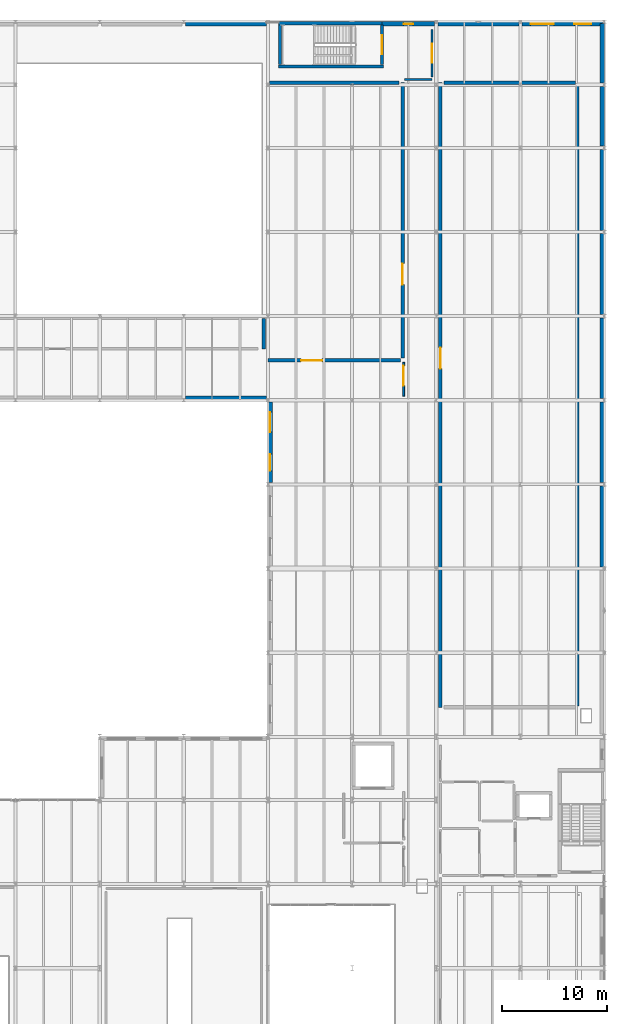
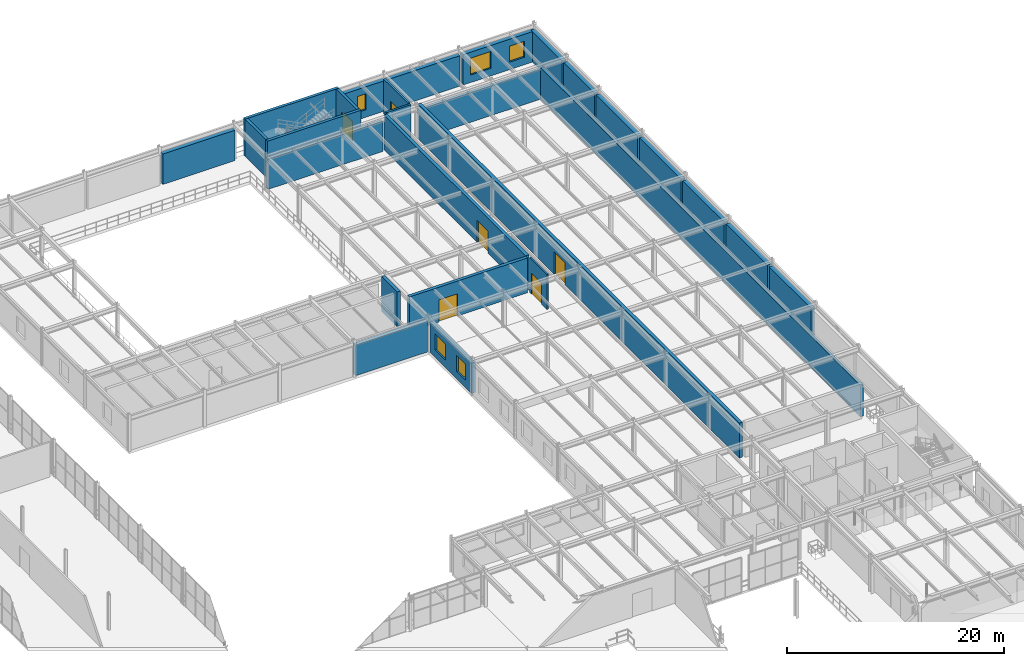
# One storey, part 91 of 122: 27 walls, 6 doors, 5 windows, 11 openings.
"""IFC4 building model written with IfcOpenShell, lengths in metres."""

from ifc_helpers import new_model, si_unit, direction, frame, frame_2d, origin, place, context, subcontext, project, spatial, rectangle, extrude, material, layer, layer_set, type_object, element, fill, save


model = new_model("IFC4")

# Units and contexts
model_context = context("Model", 3, precision=1e-05, world=origin(), true_north=direction((0.0, 1.0)))
body_context = subcontext(model_context, "Body", "Model", "MODEL_VIEW")
ifc_project = project(units=[si_unit("LENGTHUNIT", "METRE"), si_unit("AREAUNIT", "SQUARE_METRE"), si_unit("VOLUMEUNIT", "CUBIC_METRE"), si_unit("PLANEANGLEUNIT", "RADIAN"), si_unit("MASSUNIT", "GRAM", prefix="KILO")], contexts=[model_context])

# Site, building, storey
site_placement = place(None, origin())
site = spatial("IfcSite", under=ifc_project, at=site_placement, CompositionType="ELEMENT")
building_placement = place(site_placement, origin())
building = spatial("IfcBuilding", under=site, at=building_placement, Name="Sundkrona Museum", CompositionType="ELEMENT")
storey_placement = place(building_placement, frame((0.0, 0.0, 5.39990234375)))
storey = spatial("IfcBuildingStorey", under=building, at=storey_placement, Name="L01", CompositionType="ELEMENT", Elevation=5.39990234375)

# Wall, opening, door
ifc_material_1 = material(Name="Concrete C40/50", Category="concrete")
ifc_layer_1 = layer(ifc_material_1, 0.330078125)
ifc_layer_set_1 = layer_set([ifc_layer_1], Name="Concrete C40/50")
wall_type_1 = type_object("IfcWallType", Name="W-ARC-120", PredefinedType="SOLIDWALL", material=ifc_layer_set_1)
wall_1_placement = place(storey_placement, frame((148.800048828125, 82.0, 0.0), z_axis=(0.0, 0.0, 1.0), x_axis=(0.0, 1.0, 0.0)))
wall_1 = element("IfcWall", 1, at=wall_1_placement, inside=storey, type_object=wall_type_1, Name="L01 Partition East Hall Spine / Entomology Collection Archive", PredefinedType="SOLIDWALL", context=body_context, shape_type="SweptSolid", body=[
    extrude(rectangle(XDim=26.199951171875, YDim=0.330078125, at=frame_2d((13.10009765625, 0.0))), origin(), (0.0, 0.0, 1.0), 3.940185546875),
])
opening_1_placement = place(wall_1_placement, frame((6.992431640625, 0.0, 0.0)))
opening_1 = element("IfcOpeningElement", 2, at=opening_1_placement, cuts=wall_1, Name="Opening D-ARC-120", PredefinedType="OPENING", context=body_context, shape_type="SweptSolid", body=[
    extrude(rectangle(XDim=2.0, YDim=2.5, at=frame_2d((1.0, 1.25))), frame((0.0, 0.175048828125, 0.0), z_axis=(0.0, -1.0, 0.0), x_axis=(1.0, 0.0, 0.0)), (0.0, 0.0, 1.0), 0.35009765625),
])
ifc_material_2 = material(Name="Insulated Steel Vault Door", Category="steel")
door_type_1 = type_object("IfcDoorType", Name="D-ARC-120", OperationType="DOUBLE_DOOR_SINGLE_SWING", PredefinedType="DOOR", material=ifc_material_2)
door_1_placement = place(opening_1_placement, origin())
door_1 = element("IfcDoor", 3, at=door_1_placement, inside=storey, type_object=door_type_1, Name="L01 Interior Door DR-ADJ-L01-0093", OperationType="DOUBLE_DOOR_SINGLE_SWING", OverallHeight=2.5, OverallWidth=2.0, PredefinedType="DOOR", context=body_context, shape_type="SweptSolid", body=[
    extrude(rectangle(XDim=2.0, YDim=2.5, at=frame_2d((1.0, 1.25))), frame((0.0, 0.02490234375, 0.0), z_axis=(0.0, -1.0, 0.0), x_axis=(1.0, 0.0, 0.0)), (0.0, 0.0, 1.0), 0.050048828125),
])
fill(opening_1, door_1)

wall_2_placement = place(storey_placement, frame((152.39990234375, 48.800048828125, 0.0), z_axis=(0.0, 0.0, 1.0), x_axis=(0.0, 1.0, 0.0)))
wall_2 = element("IfcWall", 4, at=wall_2_placement, inside=storey, type_object=wall_type_1, Name="L01 Partition East Hall Spine / Rare Book Collection Storage", PredefinedType="SOLIDWALL", context=body_context, shape_type="SweptSolid", body=[
    extrude(rectangle(XDim=59.39990234375, YDim=0.330078125, at=frame_2d((29.699951171875, 0.0))), origin(), (0.0, 0.0, 1.0), 3.940185546875),
])
opening_2_placement = place(wall_2_placement, frame((32.206298828125, 0.0, 0.0)))
opening_2 = element("IfcOpeningElement", 5, at=opening_2_placement, cuts=wall_2, Name="Opening D-ARC-120", PredefinedType="OPENING", context=body_context, shape_type="SweptSolid", body=[
    extrude(rectangle(XDim=2.0, YDim=2.5, at=frame_2d((1.0, 1.25))), frame((0.0, 0.175048828125, 0.0), z_axis=(0.0, -1.0, 0.0), x_axis=(1.0, 0.0, 0.0)), (0.0, 0.0, 1.0), 0.35009765625),
])
door_2_placement = place(opening_2_placement, origin())
door_2 = element("IfcDoor", 6, at=door_2_placement, inside=storey, type_object=door_type_1, Name="L01 Interior Door DR-ADJ-L01-0094", OperationType="DOUBLE_DOOR_SINGLE_SWING", OverallHeight=2.5, OverallWidth=2.0, PredefinedType="DOOR", context=body_context, shape_type="SweptSolid", body=[
    extrude(rectangle(XDim=2.0, YDim=2.5, at=frame_2d((1.0, 1.25))), frame((0.0, 0.02490234375, 0.0), z_axis=(0.0, -1.0, 0.0), x_axis=(1.0, 0.0, 0.0)), (0.0, 0.0, 1.0), 0.050048828125),
])
fill(opening_2, door_2)

wall_3_placement = place(storey_placement, frame((136.0, 81.800048828125, 0.0), z_axis=(0.0, 0.0, 1.0), x_axis=(1.0, 0.0, 0.0)))
wall_3 = element("IfcWall", 7, at=wall_3_placement, inside=storey, type_object=wall_type_1, Name="L01 Partition Volume 5 Level 01 Spine / Entomology Collection Archive", PredefinedType="SOLIDWALL", context=body_context, shape_type="SweptSolid", body=[
    extrude(rectangle(XDim=12.60009765625, YDim=0.330078125, at=frame_2d((6.300048828125, 0.0))), origin(), (0.0, 0.0, 1.0), 3.940185546875),
])
opening_3_placement = place(wall_3_placement, frame((3.156982421875, 0.0, 0.0)))
opening_3 = element("IfcOpeningElement", 8, at=opening_3_placement, cuts=wall_3, Name="Opening D-ARC-120", PredefinedType="OPENING", context=body_context, shape_type="SweptSolid", body=[
    extrude(rectangle(XDim=2.0, YDim=2.5, at=frame_2d((1.0, 1.25))), frame((0.0, 0.175048828125, 0.0), z_axis=(0.0, -1.0, 0.0), x_axis=(1.0, 0.0, 0.0)), (0.0, 0.0, 1.0), 0.35009765625),
])
door_3_placement = place(opening_3_placement, origin())
door_3 = element("IfcDoor", 9, at=door_3_placement, inside=storey, type_object=door_type_1, Name="L01 Interior Door DR-ADJ-L01-0104", OperationType="DOUBLE_DOOR_SINGLE_SWING", OverallHeight=2.5, OverallWidth=2.0, PredefinedType="DOOR", context=body_context, shape_type="SweptSolid", body=[
    extrude(rectangle(XDim=2.0, YDim=2.5, at=frame_2d((1.0, 1.25))), frame((0.0, 0.02490234375, 0.0), z_axis=(0.0, -1.0, 0.0), x_axis=(1.0, 0.0, 0.0)), (0.0, 0.0, 1.0), 0.050048828125),
])
fill(opening_3, door_3)

# Walls
wall_4_placement = place(storey_placement, frame((135.60009765625, 82.89990234375, 0.0), z_axis=(0.0, 0.0, 1.0), x_axis=(0.0, 1.0, 0.0)))
element("IfcWall", 10, at=wall_4_placement, inside=storey, type_object=wall_type_1, Name="L01 Partition Entomology Collection Archive / Auditorium Projection Foyer", PredefinedType="SOLIDWALL", context=body_context, shape_type="SweptSolid", body=[
    extrude(rectangle(XDim=2.900146484375, YDim=0.330078125, at=frame_2d((1.4501953125, 0.0))), origin(), (0.0, 0.0, 1.0), 3.940185546875),
])
wall_5_placement = place(storey_placement, frame((136.14990234375, 108.199951171875, 0.0), z_axis=(0.0, 0.0, 1.0), x_axis=(1.0, 0.0, 0.0)))
element("IfcWall", 11, at=wall_5_placement, inside=storey, type_object=wall_type_1, Name="L01 Entomology Collection Archive Enclosure Wall N", PredefinedType="SOLIDWALL", context=body_context, shape_type="SweptSolid", body=[
    extrude(rectangle(XDim=12.300048828125, YDim=0.330078125, at=frame_2d((6.14990234375, 0.0))), origin(), (0.0, 0.0, 1.0), 3.400146484375),
])
wall_6_placement = place(storey_placement, frame((152.75, 108.199951171875, 0.0), z_axis=(0.0, 0.0, 1.0), x_axis=(1.0, 0.0, 0.0)))
element("IfcWall", 12, at=wall_6_placement, inside=storey, type_object=wall_type_1, Name="L01 Rare Book Collection Storage Enclosure Wall N", PredefinedType="SOLIDWALL", context=body_context, shape_type="SweptSolid", body=[
    extrude(rectangle(XDim=12.5, YDim=0.330078125, at=frame_2d((6.25, 0.0))), origin(), (0.0, 0.0, 1.0), 3.340087890625),
])
wall_7_placement = place(storey_placement, frame((165.39990234375, 48.949951171875, 0.0), z_axis=(0.0, 0.0, 1.0), x_axis=(0.0, 1.0, 0.0)))
element("IfcWall", 13, at=wall_7_placement, inside=storey, type_object=wall_type_1, Name="L01 Rare Book Collection Storage Enclosure Wall E", PredefinedType="SOLIDWALL", context=body_context, shape_type="SweptSolid", body=[
    extrude(rectangle(XDim=59.10009765625, YDim=0.330078125, at=frame_2d((29.550048828125, 0.0))), origin(), (0.0, 0.0, 1.0), 3.56005859375),
])
ifc_layer_2 = layer(ifc_material_1, 0.300048828125)
ifc_layer_set_2 = layer_set([ifc_layer_2], Name="Concrete C40/50")
wall_type_2 = type_object("IfcWallType", Name="W-CORE-300", PredefinedType="SHEAR", material=ifc_layer_set_2)
for number, where, z_axis, x_axis, name in (
    (14, (137.0, 109.75, 0.0), (0.0, 0.0, 1.0), (1.0, 0.0, 0.0), "L01 ST-5 Core Shear Wall South"),
    (15, (137.0, 113.85009765625, 0.0), (0.0, 0.0, 1.0), (1.0, 0.0, 0.0), "L01 ST-5 Core Shear Wall North"),
):
    element("IfcWall", number, at=place(storey_placement, frame(where, z_axis=z_axis, x_axis=x_axis)), inside=storey, type_object=wall_type_2, Name=name, PredefinedType="SHEAR", context=body_context, shape_type="SweptSolid", body=[
        extrude(rectangle(XDim=10.0, YDim=0.300048828125, at=frame_2d((5.0, 0.0))), origin(), (0.0, 0.0, 1.0), 4.2001953125),
    ])
wall_8_placement = place(storey_placement, frame((137.14990234375, 109.909912109375, 0.0), z_axis=(0.0, 0.0, 1.0), x_axis=(0.0, 1.0, 0.0)))
element("IfcWall", 16, at=wall_8_placement, inside=storey, type_object=wall_type_2, Name="L01 ST-5 Core Shear Wall West", PredefinedType="SHEAR", context=body_context, shape_type="SweptSolid", body=[
    extrude(rectangle(XDim=3.780029296875, YDim=0.300048828125, at=frame_2d((1.89013671875, 0.0))), origin(), (0.0, 0.0, 1.0), 4.2001953125),
])

# Wall, opening, door
wall_9_placement = place(storey_placement, frame((146.85009765625, 109.909912109375, 0.0), z_axis=(0.0, 0.0, 1.0), x_axis=(0.0, 1.0, 0.0)))
wall_9 = element("IfcWall", 17, at=wall_9_placement, inside=storey, type_object=wall_type_2, Name="L01 ST-5 Core Shear Wall East", PredefinedType="SHEAR", context=body_context, shape_type="SweptSolid", body=[
    extrude(rectangle(XDim=3.780029296875, YDim=0.300048828125, at=frame_2d((1.89013671875, 0.0))), origin(), (0.0, 0.0, 1.0), 4.2001953125),
])
opening_4_placement = place(wall_9_placement, frame((0.989990234375, 0.0, 0.0)))
opening_4 = element("IfcOpeningElement", 18, at=opening_4_placement, cuts=wall_9, Name="Opening D-FD60", PredefinedType="OPENING", context=body_context, shape_type="SweptSolid", body=[
    extrude(rectangle(XDim=1.800048828125, YDim=2.199951171875, at=frame_2d((0.89990234375, 1.10009765625))), frame((0.0, 0.159912109375, 0.0), z_axis=(0.0, -1.0, 0.0), x_axis=(1.0, 0.0, 0.0)), (0.0, 0.0, 1.0), 0.320068359375),
])
ifc_material_3 = material(Name="Steel S355J2 Fire Door Leaf", Category="steel")
door_type_2 = type_object("IfcDoorType", Name="D-FD60", OperationType="DOUBLE_DOOR_SINGLE_SWING", PredefinedType="DOOR", material=ifc_material_3)
door_4_placement = place(opening_4_placement, origin())
door_4 = element("IfcDoor", 19, at=door_4_placement, inside=storey, type_object=door_type_2, Name="L01 ST-5 Protected Escape Stair Door DR-ST-5-L01", OperationType="DOUBLE_DOOR_SINGLE_SWING", OverallHeight=2.199951171875, OverallWidth=1.800048828125, PredefinedType="DOOR", context=body_context, shape_type="SweptSolid", body=[
    extrude(rectangle(XDim=1.800048828125, YDim=2.199951171875, at=frame_2d((0.89990234375, 1.10009765625))), frame((0.0, 0.02490234375, 0.0), z_axis=(0.0, -1.0, 0.0), x_axis=(1.0, 0.0, 0.0)), (0.0, 0.0, 1.0), 0.050048828125),
])
fill(opening_4, door_4)

# Wall
ifc_material_4 = material(Name="Scanian Polychrome Clay Brickwork 420 mm", Category="masonry")
ifc_layer_3 = layer(ifc_material_4, 0.419921875)
ifc_layer_set_3 = layer_set([ifc_layer_3], Name="Scanian Polychrome Clay Brickwork 420 mm")
wall_type_3 = type_object("IfcWallType", Name="W-EX-420", PredefinedType="SOLIDWALL", material=ifc_layer_set_3)
wall_10_placement = place(storey_placement, frame((135.847900390625, 78.2099609375, 0.0), z_axis=(0.0, 0.0, 1.0), x_axis=(-1.0, 0.0, 0.0)))
element("IfcWall", 20, at=wall_10_placement, inside=storey, type_object=wall_type_3, Name="L01 Facade Wall 0286", PredefinedType="SOLIDWALL", context=body_context, shape_type="SweptSolid", body=[
    extrude(rectangle(XDim=7.69580078125, YDim=0.419921875, at=frame_2d((3.847900390625, 0.0))), origin(), (0.0, 0.0, 1.0), 3.43505859375),
])

# Wall, openings, windows
wall_11_placement = place(storey_placement, frame((136.2099609375, 70.162109375, 0.0), z_axis=(0.0, 0.0, 1.0), x_axis=(0.0, 1.0, 0.0)))
wall_11 = element("IfcWall", 21, at=wall_11_placement, inside=storey, type_object=wall_type_3, Name="L01 Facade Wall 0290", PredefinedType="SOLIDWALL", context=body_context, shape_type="SweptSolid", body=[
    extrude(rectangle(XDim=7.67578125, YDim=0.419921875, at=frame_2d((3.837890625, 0.0))), origin(), (0.0, 0.0, 1.0), 3.43505859375),
])
opening_5_placement = place(wall_11_placement, frame((1.118896484375, 0.0, 0.85009765625)))
opening_5 = element("IfcOpeningElement", 22, at=opening_5_placement, cuts=wall_11, Name="Opening WN-LB-160x180", PredefinedType="OPENING", context=body_context, shape_type="SweptSolid", body=[
    extrude(rectangle(XDim=1.60009765625, YDim=1.800048828125, at=frame_2d((0.800048828125, 0.89990234375))), frame((0.0, 0.219970703125, 0.0), z_axis=(0.0, -1.0, 0.0), x_axis=(1.0, 0.0, 0.0)), (0.0, 0.0, 1.0), 0.43994140625),
])
opening_6_placement = place(wall_11_placement, frame((4.806884765625, 0.0, 0.85009765625)))
opening_6 = element("IfcOpeningElement", 23, at=opening_6_placement, cuts=wall_11, Name="Opening WN-LB-190x180", PredefinedType="OPENING", context=body_context, shape_type="SweptSolid", body=[
    extrude(rectangle(XDim=1.89990234375, YDim=1.800048828125, at=frame_2d((0.949951171875, 0.89990234375))), frame((0.0, 0.219970703125, 0.0), z_axis=(0.0, -1.0, 0.0), x_axis=(1.0, 0.0, 0.0)), (0.0, 0.0, 1.0), 0.43994140625),
])
ifc_material_5 = material(Name="Triple Low-E Argon Glazing in Bronze-Anodised Aluminium", Category="aluminium")
window_type_1 = type_object("IfcWindowType", Name="WN-LB-160x180", PartitioningType="DOUBLE_PANEL_VERTICAL", PredefinedType="WINDOW", material=ifc_material_5)
window_1_placement = place(opening_5_placement, origin())
window_1 = element("IfcWindow", 24, at=window_1_placement, inside=storey, type_object=window_type_1, Name="L01 Conservation laboratory deep-reveal window 1600x1800 WIN-L01-0394", OverallHeight=1.800048828125, OverallWidth=1.60009765625, PartitioningType="DOUBLE_PANEL_VERTICAL", PredefinedType="WINDOW", context=body_context, shape_type="SweptSolid", body=[
    extrude(rectangle(XDim=1.60009765625, YDim=1.800048828125, at=frame_2d((0.800048828125, 0.89990234375))), frame((0.0, 0.030029296875, 0.0), z_axis=(0.0, -1.0, 0.0), x_axis=(1.0, 0.0, 0.0)), (0.0, 0.0, 1.0), 0.06005859375),
])
fill(opening_5, window_1)
window_type_2 = type_object("IfcWindowType", Name="WN-LB-190x180", PartitioningType="DOUBLE_PANEL_VERTICAL", PredefinedType="WINDOW", material=ifc_material_5)
window_2_placement = place(opening_6_placement, origin())
window_2 = element("IfcWindow", 25, at=window_2_placement, inside=storey, type_object=window_type_2, Name="L01 Analytical studio bench-height window 1900x1800 WIN-L01-0395", OverallHeight=1.800048828125, OverallWidth=1.89990234375, PartitioningType="DOUBLE_PANEL_VERTICAL", PredefinedType="WINDOW", context=body_context, shape_type="SweptSolid", body=[
    extrude(rectangle(XDim=1.89990234375, YDim=1.800048828125, at=frame_2d((0.949951171875, 0.89990234375))), frame((0.0, 0.030029296875, 0.0), z_axis=(0.0, -1.0, 0.0), x_axis=(1.0, 0.0, 0.0)), (0.0, 0.0, 1.0), 0.06005859375),
])
fill(opening_6, window_2)

# Walls
for number, where, z_axis, x_axis, name in (
    (26, (167.7900390625, 69.837890625, 0.0), (0.0, 0.0, 1.0), (0.0, -1.0, 0.0), "L01 Facade Wall 0333"),
    (27, (167.7900390625, 77.837890625, 0.0), (0.0, 0.0, 1.0), (0.0, -1.0, 0.0), "L01 Facade Wall 0334"),
    (28, (167.7900390625, 85.837890625, 0.0), (0.0, 0.0, 1.0), (0.0, -1.0, 0.0), "L01 Facade Wall 0335"),
    (29, (167.7900390625, 93.837890625, 0.0), (0.0, 0.0, 1.0), (0.0, -1.0, 0.0), "L01 Facade Wall 0336"),
    (30, (167.7900390625, 101.837890625, 0.0), (0.0, 0.0, 1.0), (0.0, -1.0, 0.0), "L01 Facade Wall 0337"),
):
    element("IfcWall", number, at=place(storey_placement, frame(where, z_axis=z_axis, x_axis=x_axis)), inside=storey, type_object=wall_type_3, Name=name, PredefinedType="SOLIDWALL", context=body_context, shape_type="SweptSolid", body=[
        extrude(rectangle(XDim=7.67578125, YDim=0.419921875, at=frame_2d((3.837890625, 0.0))), origin(), (0.0, 0.0, 1.0), 3.43505859375),
    ])
for number, where, z_axis, x_axis, name in (
    (31, (167.7900390625, 107.837890625, 0.0), (0.0, 0.0, 1.0), (0.0, -1.0, 0.0), "L01 Facade Wall 0338"),
    (32, (167.7900390625, 113.837890625, 0.0), (0.0, 0.0, 1.0), (0.0, -1.0, 0.0), "L01 Facade Wall 0339"),
):
    element("IfcWall", number, at=place(storey_placement, frame(where, z_axis=z_axis, x_axis=x_axis)), inside=storey, type_object=wall_type_3, Name=name, PredefinedType="SOLIDWALL", context=body_context, shape_type="SweptSolid", body=[
        extrude(rectangle(XDim=5.67578125, YDim=0.419921875, at=frame_2d((2.837890625, 0.0))), origin(), (0.0, 0.0, 1.0), 3.43505859375),
    ])
wall_12_placement = place(storey_placement, frame((128.152099609375, 113.7900390625, 0.0), z_axis=(0.0, 0.0, 1.0), x_axis=(1.0, 0.0, 0.0)))
element("IfcWall", 33, at=wall_12_placement, inside=storey, type_object=wall_type_3, Name="L01 Facade Wall 0343", PredefinedType="SOLIDWALL", context=body_context, shape_type="SweptSolid", body=[
    extrude(rectangle(XDim=7.69580078125, YDim=0.419921875, at=frame_2d((3.847900390625, 0.0))), origin(), (0.0, 0.0, 1.0), 3.43505859375),
])

# Wall, opening, window
wall_13_placement = place(storey_placement, frame((146.860107421875, 113.7900390625, 0.0), z_axis=(0.0, 0.0, 1.0), x_axis=(1.0, 0.0, 0.0)))
wall_13 = element("IfcWall", 34, at=wall_13_placement, inside=storey, type_object=wall_type_3, Name="L01 Facade Wall 0344", PredefinedType="SOLIDWALL", context=body_context, shape_type="SweptSolid", body=[
    extrude(rectangle(XDim=4.98779296875, YDim=0.419921875, at=frame_2d((2.493896484375, 0.0))), origin(), (0.0, 0.0, 1.0), 3.43505859375),
])
opening_7_placement = place(wall_13_placement, frame((2.0439453125, 0.0, 0.85009765625)))
opening_7 = element("IfcOpeningElement", 35, at=opening_7_placement, cuts=wall_13, Name="Opening WN-ST-090x180", PredefinedType="OPENING", context=body_context, shape_type="SweptSolid", body=[
    extrude(rectangle(XDim=0.89990234375, YDim=1.800048828125, at=frame_2d((0.449951171875, 0.89990234375))), frame((0.0, 0.219970703125, 0.0), z_axis=(0.0, -1.0, 0.0), x_axis=(1.0, 0.0, 0.0)), (0.0, 0.0, 1.0), 0.43994140625),
])
window_type_3 = type_object("IfcWindowType", Name="WN-ST-090x180", PartitioningType="SINGLE_PANEL", PredefinedType="WINDOW", material=ifc_material_5)
window_3_placement = place(opening_7_placement, origin())
window_3 = element("IfcWindow", 36, at=window_3_placement, inside=storey, type_object=window_type_3, Name="L01 Stair-core avenue daylight slot window 900x1800 WIN-L01-0439", OverallHeight=1.800048828125, OverallWidth=0.89990234375, PartitioningType="SINGLE_PANEL", PredefinedType="WINDOW", context=body_context, shape_type="SweptSolid", body=[
    extrude(rectangle(XDim=0.89990234375, YDim=1.800048828125, at=frame_2d((0.449951171875, 0.89990234375))), frame((0.0, 0.030029296875, 0.0), z_axis=(0.0, -1.0, 0.0), x_axis=(1.0, 0.0, 0.0)), (0.0, 0.0, 1.0), 0.06005859375),
])
fill(opening_7, window_3)

# Wall
wall_14_placement = place(storey_placement, frame((152.152099609375, 113.7900390625, 0.0), z_axis=(0.0, 0.0, 1.0), x_axis=(1.0, 0.0, 0.0)))
element("IfcWall", 37, at=wall_14_placement, inside=storey, type_object=wall_type_3, Name="L01 Facade Wall 0345", PredefinedType="SOLIDWALL", context=body_context, shape_type="SweptSolid", body=[
    extrude(rectangle(XDim=7.69580078125, YDim=0.419921875, at=frame_2d((3.847900390625, 0.0))), origin(), (0.0, 0.0, 1.0), 3.43505859375),
])

# Wall, openings, windows
wall_15_placement = place(storey_placement, frame((160.152099609375, 113.7900390625, 0.0), z_axis=(0.0, 0.0, 1.0), x_axis=(1.0, 0.0, 0.0)))
wall_15 = element("IfcWall", 38, at=wall_15_placement, inside=storey, type_object=wall_type_3, Name="L01 Facade Wall 0346", PredefinedType="SOLIDWALL", context=body_context, shape_type="SweptSolid", body=[
    extrude(rectangle(XDim=7.69580078125, YDim=0.419921875, at=frame_2d((3.847900390625, 0.0))), origin(), (0.0, 0.0, 1.0), 3.43505859375),
])
opening_8_placement = place(wall_15_placement, frame((0.823974609375, 0.0, 0.85009765625)))
opening_8 = element("IfcOpeningElement", 39, at=opening_8_placement, cuts=wall_15, Name="Opening WN-LB-220x190", PredefinedType="OPENING", context=body_context, shape_type="SweptSolid", body=[
    extrude(rectangle(XDim=2.199951171875, YDim=1.89990234375, at=frame_2d((1.10009765625, 0.949951171875))), frame((0.0, 0.219970703125, 0.0), z_axis=(0.0, -1.0, 0.0), x_axis=(1.0, 0.0, 0.0)), (0.0, 0.0, 1.0), 0.43994140625),
])
opening_9_placement = place(wall_15_placement, frame((4.971923828125, 0.0, 0.85009765625)))
opening_9 = element("IfcOpeningElement", 40, at=opening_9_placement, cuts=wall_15, Name="Opening WN-LB-160x180", PredefinedType="OPENING", context=body_context, shape_type="SweptSolid", body=[
    extrude(rectangle(XDim=1.60009765625, YDim=1.800048828125, at=frame_2d((0.800048828125, 0.89990234375))), frame((0.0, 0.219970703125, 0.0), z_axis=(0.0, -1.0, 0.0), x_axis=(1.0, 0.0, 0.0)), (0.0, 0.0, 1.0), 0.43994140625),
])
window_4_placement = place(opening_9_placement, origin())
window_4 = element("IfcWindow", 41, at=window_4_placement, inside=storey, type_object=window_type_1, Name="L01 Conservation laboratory deep-reveal window 1600x1800 WIN-L01-0441", OverallHeight=1.800048828125, OverallWidth=1.60009765625, PartitioningType="DOUBLE_PANEL_VERTICAL", PredefinedType="WINDOW", context=body_context, shape_type="SweptSolid", body=[
    extrude(rectangle(XDim=1.60009765625, YDim=1.800048828125, at=frame_2d((0.800048828125, 0.89990234375))), frame((0.0, 0.030029296875, 0.0), z_axis=(0.0, -1.0, 0.0), x_axis=(1.0, 0.0, 0.0)), (0.0, 0.0, 1.0), 0.06005859375),
])
fill(opening_9, window_4)
window_type_4 = type_object("IfcWindowType", Name="WN-LB-220x190", PartitioningType="TRIPLE_PANEL_VERTICAL", PredefinedType="WINDOW", material=ifc_material_5)
window_5_placement = place(opening_8_placement, origin())
window_5 = element("IfcWindow", 42, at=window_5_placement, inside=storey, type_object=window_type_4, Name="L01 Restoration studio north-light window 2200x1900 WIN-L01-0440", OverallHeight=1.89990234375, OverallWidth=2.199951171875, PartitioningType="TRIPLE_PANEL_VERTICAL", PredefinedType="WINDOW", context=body_context, shape_type="SweptSolid", body=[
    extrude(rectangle(XDim=2.199951171875, YDim=1.89990234375, at=frame_2d((1.10009765625, 0.949951171875))), frame((0.0, 0.030029296875, 0.0), z_axis=(0.0, -1.0, 0.0), x_axis=(1.0, 0.0, 0.0)), (0.0, 0.0, 1.0), 0.06005859375),
])
fill(opening_8, window_5)

# Wall
ifc_material_6 = material(Name="Autoclaved Aerated Masonry 225 mm", Category="masonry")
ifc_layer_4 = layer(ifc_material_6, 0.22509765625)
ifc_layer_set_4 = layer_set([ifc_layer_4], Name="Autoclaved Aerated Masonry 225 mm")
wall_type_4 = type_object("IfcWallType", Name="W-FF-225", PredefinedType="SOLIDWALL", material=ifc_layer_set_4)
wall_16_placement = place(storey_placement, frame((149.0, 108.5, 0.0), z_axis=(0.0, 0.0, 1.0), x_axis=(1.0, 0.0, 0.0)))
element("IfcWall", 43, at=wall_16_placement, inside=storey, type_object=wall_type_4, Name="L01 Partition Core 5 Stair Lobby / East Hall Spine", PredefinedType="SOLIDWALL", context=body_context, shape_type="SweptSolid", body=[
    extrude(rectangle(XDim=2.60009765625, YDim=0.22509765625, at=frame_2d((1.300048828125, 0.0))), origin(), (0.0, 0.0, 1.0), 3.940185546875),
])

# Wall, opening, door
wall_17_placement = place(storey_placement, frame((151.60009765625, 113.25, 0.0), z_axis=(0.0, 0.0, 1.0), x_axis=(0.0, -1.0, 0.0)))
wall_17 = element("IfcWall", 44, at=wall_17_placement, inside=storey, type_object=wall_type_4, Name="L01 Core 5 Stair Lobby Enclosure Wall E", PredefinedType="SOLIDWALL", context=body_context, shape_type="SweptSolid", body=[
    extrude(rectangle(XDim=4.5, YDim=0.22509765625, at=frame_2d((2.25, 0.0))), origin(), (0.0, 0.0, 1.0), 3.940185546875),
])
opening_10_placement = place(wall_17_placement, frame((1.35009765625, 0.0, 0.0)))
opening_10 = element("IfcOpeningElement", 45, at=opening_10_placement, cuts=wall_17, Name="Opening D-FD60", PredefinedType="OPENING", context=body_context, shape_type="SweptSolid", body=[
    extrude(rectangle(XDim=1.800048828125, YDim=2.199951171875, at=frame_2d((0.89990234375, 1.10009765625))), frame((0.0, 0.12255859375, 0.0), z_axis=(0.0, -1.0, 0.0), x_axis=(1.0, 0.0, 0.0)), (0.0, 0.0, 1.0), 0.2451171875),
])
door_5_placement = place(opening_10_placement, origin())
door_5 = element("IfcDoor", 46, at=door_5_placement, inside=storey, type_object=door_type_2, Name="L01 Interior Door DR-INT-L01-0108", OperationType="DOUBLE_DOOR_SINGLE_SWING", OverallHeight=2.199951171875, OverallWidth=1.800048828125, PredefinedType="DOOR", context=body_context, shape_type="SweptSolid", body=[
    extrude(rectangle(XDim=1.800048828125, YDim=2.199951171875, at=frame_2d((0.89990234375, 1.10009765625))), frame((0.0, 0.02490234375, 0.0), z_axis=(0.0, -1.0, 0.0), x_axis=(1.0, 0.0, 0.0)), (0.0, 0.0, 1.0), 0.050048828125),
])
fill(opening_10, door_5)

ifc_material_7 = material(Name="Fire-rated Gypsum Partition Board 175 mm", Category="other")
ifc_layer_5 = layer(ifc_material_7, 0.175048828125)
ifc_layer_set_5 = layer_set([ifc_layer_5], Name="Fire-rated Gypsum Partition Board 175 mm")
wall_type_5 = type_object("IfcWallType", Name="W-PT-175", PredefinedType="PARTITIONING", material=ifc_layer_set_5)
wall_18_placement = place(storey_placement, frame((148.89990234375, 78.39990234375, 0.0), z_axis=(0.0, 0.0, 1.0), x_axis=(0.0, 1.0, 0.0)))
wall_18 = element("IfcWall", 47, at=wall_18_placement, inside=storey, type_object=wall_type_5, Name="L01 Partition East Hall Spine / Volume 5 Level 01 Spine", PredefinedType="PARTITIONING", context=body_context, shape_type="SweptSolid", body=[
    extrude(rectangle(XDim=3.2001953125, YDim=0.175048828125, at=frame_2d((1.60009765625, 0.0))), origin(), (0.0, 0.0, 1.0), 3.940185546875),
])
opening_11_placement = place(wall_18_placement, frame((1.0, 0.0, 0.0)))
opening_11 = element("IfcOpeningElement", 48, at=opening_11_placement, cuts=wall_18, Name="Opening D-AUD-190", PredefinedType="OPENING", context=body_context, shape_type="SweptSolid", body=[
    extrude(rectangle(XDim=1.89990234375, YDim=2.35009765625, at=frame_2d((0.949951171875, 1.175048828125))), frame((0.0, 0.097412109375, 0.0), z_axis=(0.0, -1.0, 0.0), x_axis=(1.0, 0.0, 0.0)), (0.0, 0.0, 1.0), 0.195068359375),
])
ifc_material_8 = material(Name="Acoustic Oak Fire Door", Category="other")
door_type_3 = type_object("IfcDoorType", Name="D-AUD-190", OperationType="DOUBLE_DOOR_SINGLE_SWING", PredefinedType="DOOR", material=ifc_material_8)
door_6_placement = place(opening_11_placement, origin())
door_6 = element("IfcDoor", 49, at=door_6_placement, inside=storey, type_object=door_type_3, Name="L01 Interior Door DR-ADJ-L01-0091", OperationType="DOUBLE_DOOR_SINGLE_SWING", OverallHeight=2.35009765625, OverallWidth=1.89990234375, PredefinedType="DOOR", context=body_context, shape_type="SweptSolid", body=[
    extrude(rectangle(XDim=1.89990234375, YDim=2.35009765625, at=frame_2d((0.949951171875, 1.175048828125))), frame((0.0, 0.02490234375, 0.0), z_axis=(0.0, -1.0, 0.0), x_axis=(1.0, 0.0, 0.0)), (0.0, 0.0, 1.0), 0.050048828125),
])
fill(opening_11, door_6)

save(model, "model.ifc")
